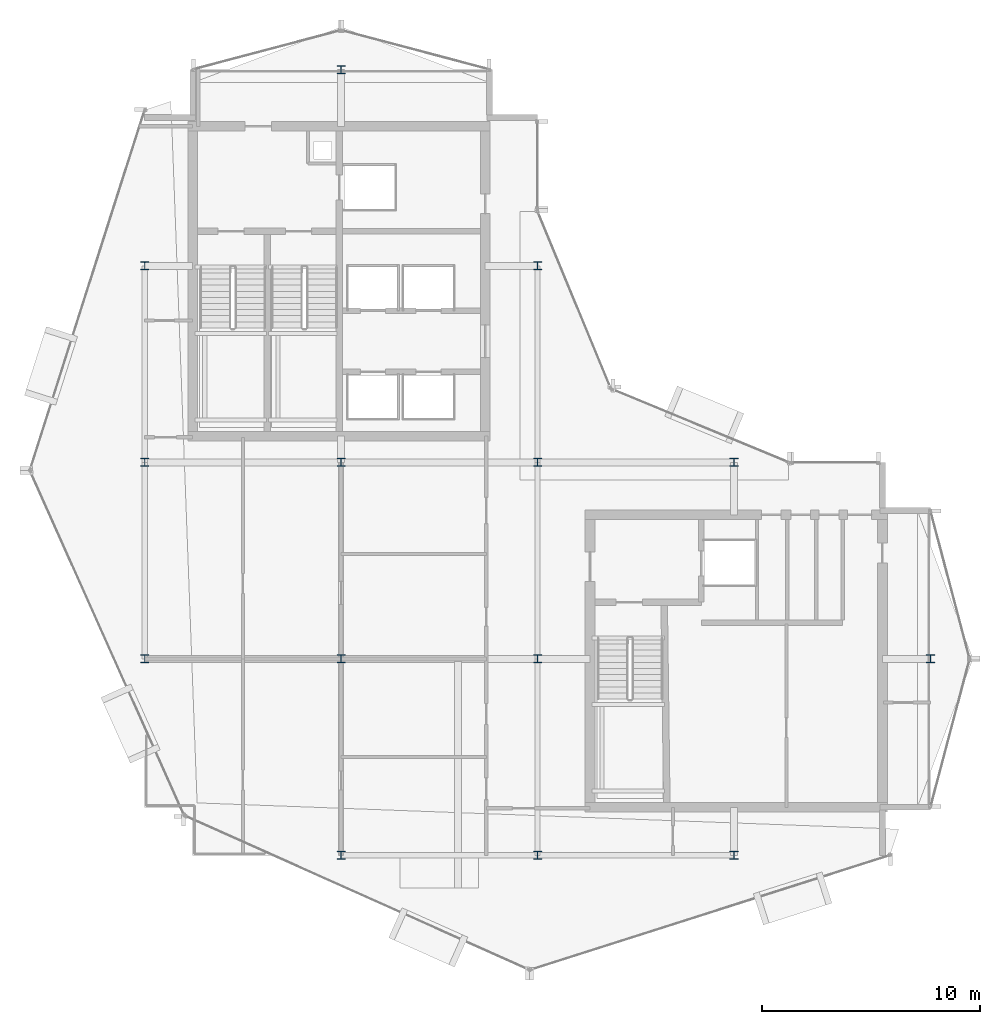
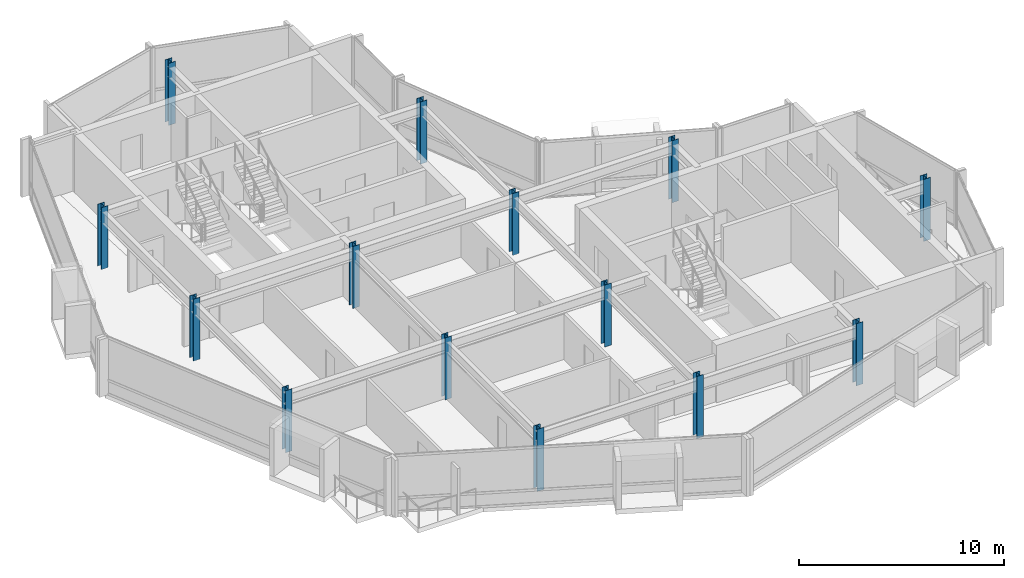
# One storey, part 1 of 19: 14 columns.
"""IFC4 building model written with IfcOpenShell, lengths in metres."""

from ifc_helpers import new_model, si_unit, direction, frame, origin, origin_2d, place, context, subcontext, project, spatial, i_section, extrude, material, material_profile, profile_set, type_object, element, save


model = new_model("IFC4")

# Units and contexts
model_context = context("Model", 3, precision=1e-05, world=origin(), true_north=direction((0.0, 1.0)))
body_context = subcontext(model_context, "Body", "Model", "MODEL_VIEW")
ifc_project = project(units=[si_unit("LENGTHUNIT", "METRE"), si_unit("AREAUNIT", "SQUARE_METRE"), si_unit("VOLUMEUNIT", "CUBIC_METRE"), si_unit("PLANEANGLEUNIT", "RADIAN"), si_unit("MASSUNIT", "GRAM", prefix="KILO")], contexts=[model_context])

# Site, building, storey
site_placement = place(None, origin())
site = spatial("IfcSite", under=ifc_project, at=site_placement, CompositionType="ELEMENT")
building_placement = place(site_placement, origin())
building = spatial("IfcBuilding", under=site, at=building_placement, Name="Solvaryn Broadcast Tower", CompositionType="ELEMENT")
storey_placement = place(building_placement, frame((0.0, 0.0, 290.0)))
storey = spatial("IfcBuildingStorey", under=building, at=storey_placement, Name="L73", CompositionType="ELEMENT", Elevation=290.0)

# Columns
ifc_material_1 = material(Name="Steel ASTM A913 Grade 65", Category="steel")
ifc_material_profile_1 = material_profile(ifc_material_1, i_section(OverallWidth=0.373046875, OverallDepth=0.367919921875, WebThickness=0.014892578125, FlangeThickness=0.02392578125, FilletRadius=0.014892578125, at=origin_2d()))
ifc_profile_set_1 = profile_set([ifc_material_profile_1], Name="Steel ASTM A913 Grade 65")
column_type_1 = type_object("IfcColumnType", Name="COL-C11E-W14X120", PredefinedType="COLUMN", material=ifc_profile_set_1)
for number, where, z_axis, x_axis, name in (
    (1, (9.0, 18.0, 0.0), (0.0, 0.0, 1.0), (1.0, 0.0, 0.0), "L73 Column (9.0, 18.0)"),
    (2, (9.0, 27.0, 0.0), (0.0, 0.0, 1.0), (1.0, 0.0, 0.0), "L73 Column (9.0, 27.0)"),
    (3, (9.0, 36.0, 0.0), (0.0, 0.0, 1.0), (1.0, 0.0, 0.0), "L73 Column (9.0, 36.0)"),
    (4, (18.0, 9.0, 0.0), (0.0, 0.0, 1.0), (1.0, 0.0, 0.0), "L73 Column (18.0, 9.0)"),
    (5, (18.0, 45.0, 0.0), (0.0, 0.0, 1.0), (1.0, 0.0, 0.0), "L73 Column (18.0, 45.0)"),
    (6, (27.0, 9.0, 0.0), (0.0, 0.0, 1.0), (1.0, 0.0, 0.0), "L73 Column (27.0, 9.0)"),
    (7, (27.0, 36.0, 0.0), (0.0, 0.0, 1.0), (1.0, 0.0, 0.0), "L73 Column (27.0, 36.0)"),
    (8, (36.0, 9.0, 0.0), (0.0, 0.0, 1.0), (1.0, 0.0, 0.0), "L73 Column (36.0, 9.0)"),
    (9, (36.0, 27.0, 0.0), (0.0, 0.0, 1.0), (1.0, 0.0, 0.0), "L73 Column (36.0, 27.0)"),
    (10, (45.0, 18.0, 0.0), (0.0, 0.0, 1.0), (1.0, 0.0, 0.0), "L73 Column (45.0, 18.0)"),
):
    element("IfcColumn", number, at=place(storey_placement, frame(where, z_axis=z_axis, x_axis=x_axis)), inside=storey, type_object=column_type_1, Name=name, PredefinedType="COLUMN", context=body_context, shape_type="SweptSolid", body=[
        extrude(i_section(OverallWidth=0.373046875, OverallDepth=0.367919921875, WebThickness=0.014892578125, FlangeThickness=0.02392578125, FilletRadius=0.014892578125, at=origin_2d()), origin(), (0.0, 0.0, 1.0), 3.699951171875),
    ])
ifc_material_2 = material(Name="Steel ASTM A913 Grade 65", Category="steel")
ifc_material_profile_2 = material_profile(ifc_material_2, i_section(OverallWidth=0.373046875, OverallDepth=0.367919921875, WebThickness=0.014892578125, FlangeThickness=0.02392578125, FilletRadius=0.014892578125, at=origin_2d()))
ifc_profile_set_2 = profile_set([ifc_material_profile_2], Name="Steel ASTM A913 Grade 65")
column_type_2 = type_object("IfcColumnType", Name="COL-C11I-W14X120", PredefinedType="COLUMN", material=ifc_profile_set_2)
for number, where, z_axis, x_axis, name in (
    (11, (18.0, 18.0, 0.0), (0.0, 0.0, 1.0), (1.0, 0.0, 0.0), "L73 Column (18.0, 18.0)"),
    (12, (18.0, 27.0, 0.0), (0.0, 0.0, 1.0), (1.0, 0.0, 0.0), "L73 Column (18.0, 27.0)"),
    (13, (27.0, 18.0, 0.0), (0.0, 0.0, 1.0), (1.0, 0.0, 0.0), "L73 Column (27.0, 18.0)"),
    (14, (27.0, 27.0, 0.0), (0.0, 0.0, 1.0), (1.0, 0.0, 0.0), "L73 Column (27.0, 27.0)"),
):
    element("IfcColumn", number, at=place(storey_placement, frame(where, z_axis=z_axis, x_axis=x_axis)), inside=storey, type_object=column_type_2, Name=name, PredefinedType="COLUMN", context=body_context, shape_type="SweptSolid", body=[
        extrude(i_section(OverallWidth=0.373046875, OverallDepth=0.367919921875, WebThickness=0.014892578125, FlangeThickness=0.02392578125, FilletRadius=0.014892578125, at=origin_2d()), origin(), (0.0, 0.0, 1.0), 3.699951171875),
    ])

save(model, "model.ifc")
